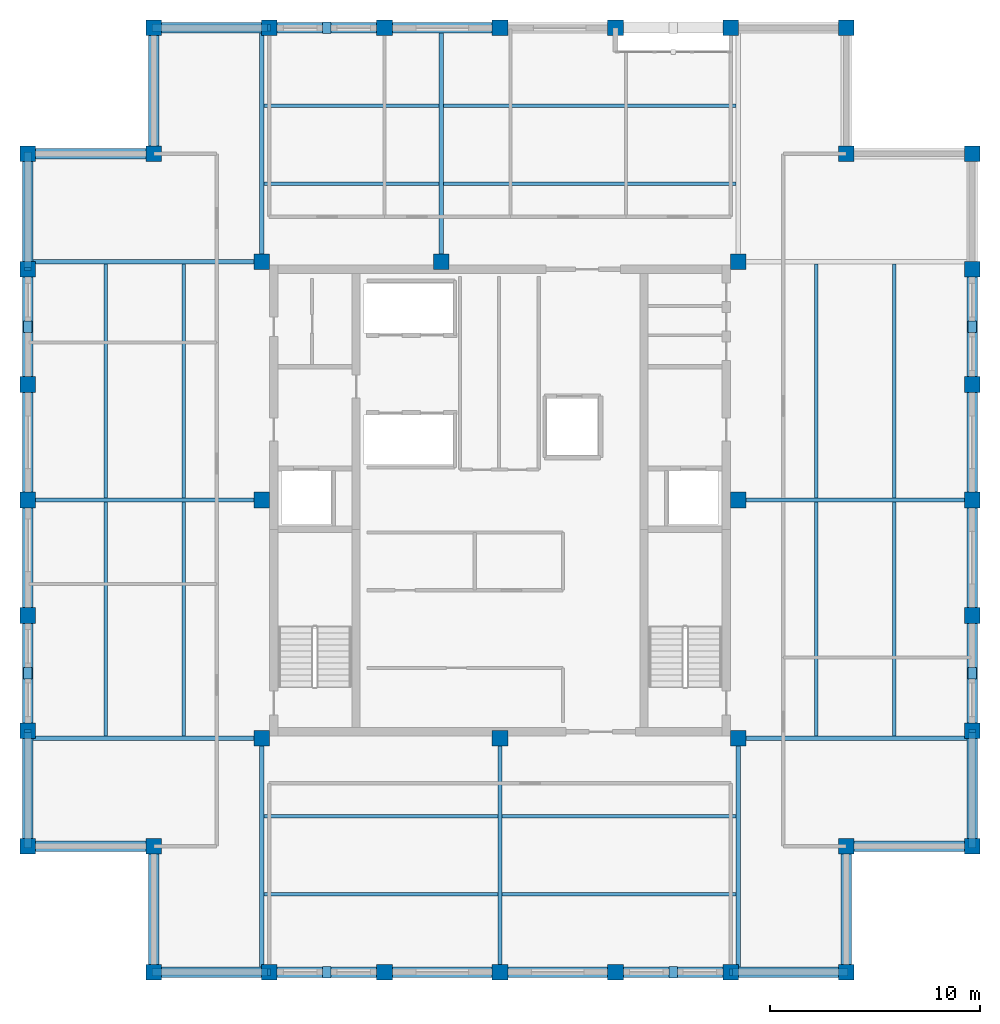
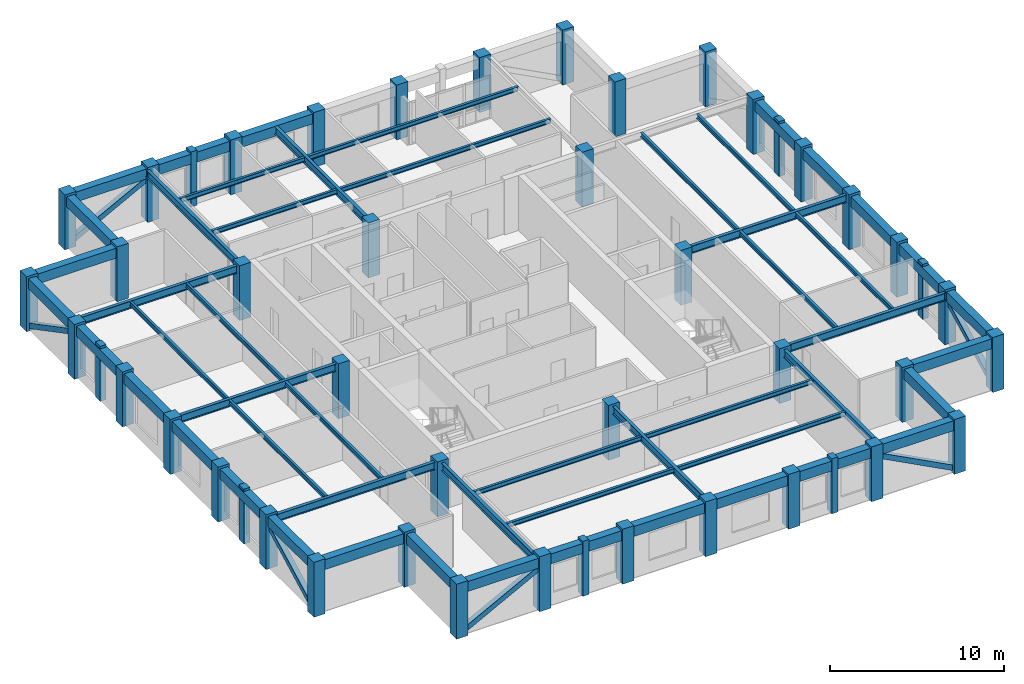
# One storey, part 1 of 7: 52 beams, 40 columns, 13 members.
"""IFC4 building model written with IfcOpenShell, lengths in metres."""

from ifc_helpers import new_model, si_unit, direction, frame, origin, origin_2d, place, context, subcontext, project, spatial, rectangle, hollow_rectangle, i_section, extrude, material, material_profile, profile_set, type_object, element, save


model = new_model("IFC4")

# Units and contexts
model_context = context("Model", 3, precision=1e-05, world=origin(), true_north=direction((0.0, 1.0)))
body_context = subcontext(model_context, "Body", "Model", "MODEL_VIEW")
ifc_project = project(units=[si_unit("LENGTHUNIT", "METRE"), si_unit("AREAUNIT", "SQUARE_METRE"), si_unit("VOLUMEUNIT", "CUBIC_METRE"), si_unit("PLANEANGLEUNIT", "RADIAN"), si_unit("MASSUNIT", "GRAM", prefix="KILO")], contexts=[model_context])

# Site, building, storey
site_placement = place(None, origin())
site = spatial("IfcSite", under=ifc_project, at=site_placement, CompositionType="ELEMENT")
building_placement = place(site_placement, origin())
building = spatial("IfcBuilding", under=site, at=building_placement, Name="Nhamokura Convention Tower", CompositionType="ELEMENT")
storey_placement = place(building_placement, frame((0.0, 0.0, 281.39990234375)))
storey = spatial("IfcBuildingStorey", under=building, at=storey_placement, Name="L69", CompositionType="ELEMENT", Elevation=281.39990234375)

# Columns
ifc_material_1 = material(Name="Concrete C50/60", Category="concrete")
ifc_material_profile_1 = material_profile(ifc_material_1, rectangle(XDim=0.75, YDim=0.75, at=origin_2d()))
ifc_profile_set_1 = profile_set([ifc_material_profile_1], Name="Concrete C50/60")
column_type = type_object("IfcColumnType", Name="TubeColumn_Z4_750", PredefinedType="COLUMN", material=ifc_profile_set_1)
for number, where, z_axis, x_axis, name in (
    (1, (20.64990234375, 20.64990234375, 0.0), (0.0, 0.0, 1.0), (1.0, 0.0, 0.0), "L69 Core Column CC-SW"),
    (2, (32.0, 20.64990234375, 0.0), (0.0, 0.0, 1.0), (1.0, 0.0, 0.0), "L69 Core Column CC-S"),
    (3, (43.35009765625, 20.64990234375, 0.0), (0.0, 0.0, 1.0), (1.0, 0.0, 0.0), "L69 Core Column CC-SE"),
    (4, (43.35009765625, 32.0, 0.0), (0.0, 0.0, 1.0), (1.0, 0.0, 0.0), "L69 Core Column CC-E"),
    (5, (43.35009765625, 43.35009765625, 0.0), (0.0, 0.0, 1.0), (1.0, 0.0, 0.0), "L69 Core Column CC-NE"),
    (6, (29.199951171875, 43.35009765625, 0.0), (0.0, 0.0, 1.0), (1.0, 0.0, 0.0), "L69 Core Column CC-N"),
    (7, (20.64990234375, 43.35009765625, 0.0), (0.0, 0.0, 1.0), (1.0, 0.0, 0.0), "L69 Core Column CC-NW"),
    (8, (20.64990234375, 32.0, 0.0), (0.0, 0.0, 1.0), (1.0, 0.0, 0.0), "L69 Core Column CC-W"),
    (9, (15.5, 9.5, 0.0), (0.0, 0.0, 1.0), (1.0, 0.0, 0.0), "L69 Perimeter Tube Column SW1"),
    (10, (15.5, 15.5, 0.0), (0.0, 0.0, 1.0), (1.0, 0.0, 0.0), "L69 Perimeter Tube Column SW0"),
    (11, (9.5, 15.5, 0.0), (0.0, 0.0, 1.0), (1.0, 0.0, 0.0), "L69 Perimeter Tube Column SW2"),
    (12, (48.5, 9.5, 0.0), (0.0, 0.0, 1.0), (1.0, 0.0, 0.0), "L69 Perimeter Tube Column SE1"),
    (13, (48.5, 15.5, 0.0), (0.0, 0.0, 1.0), (1.0, 0.0, 0.0), "L69 Perimeter Tube Column SE0"),
    (14, (54.5, 15.5, 0.0), (0.0, 0.0, 1.0), (1.0, 0.0, 0.0), "L69 Perimeter Tube Column SE2"),
    (15, (54.5, 48.5, 0.0), (0.0, 0.0, 1.0), (1.0, 0.0, 0.0), "L69 Perimeter Tube Column NE1"),
    (16, (48.5, 48.5, 0.0), (0.0, 0.0, 1.0), (1.0, 0.0, 0.0), "L69 Perimeter Tube Column NE0"),
    (17, (48.5, 54.5, 0.0), (0.0, 0.0, 1.0), (1.0, 0.0, 0.0), "L69 Perimeter Tube Column NE2"),
    (18, (15.5, 54.5, 0.0), (0.0, 0.0, 1.0), (1.0, 0.0, 0.0), "L69 Perimeter Tube Column NW1"),
    (19, (15.5, 48.5, 0.0), (0.0, 0.0, 1.0), (1.0, 0.0, 0.0), "L69 Perimeter Tube Column NW0"),
    (20, (9.5, 48.5, 0.0), (0.0, 0.0, 1.0), (1.0, 0.0, 0.0), "L69 Perimeter Tube Column NW2"),
    (21, (21.0, 9.5, 0.0), (0.0, 0.0, 1.0), (1.0, 0.0, 0.0), "L69 Perimeter Tube Column S1"),
    (22, (21.0, 54.5, 0.0), (0.0, 0.0, 1.0), (1.0, 0.0, 0.0), "L69 Perimeter Tube Column N1"),
    (23, (9.5, 21.0, 0.0), (0.0, 0.0, 1.0), (1.0, 0.0, 0.0), "L69 Perimeter Tube Column W1"),
    (24, (54.5, 21.0, 0.0), (0.0, 0.0, 1.0), (1.0, 0.0, 0.0), "L69 Perimeter Tube Column E1"),
    (25, (26.5, 9.5, 0.0), (0.0, 0.0, 1.0), (1.0, 0.0, 0.0), "L69 Perimeter Tube Column S2"),
    (26, (26.5, 54.5, 0.0), (0.0, 0.0, 1.0), (1.0, 0.0, 0.0), "L69 Perimeter Tube Column N2"),
    (27, (9.5, 26.5, 0.0), (0.0, 0.0, 1.0), (1.0, 0.0, 0.0), "L69 Perimeter Tube Column W2"),
    (28, (54.5, 26.5, 0.0), (0.0, 0.0, 1.0), (1.0, 0.0, 0.0), "L69 Perimeter Tube Column E2"),
    (29, (32.0, 9.5, 0.0), (0.0, 0.0, 1.0), (1.0, 0.0, 0.0), "L69 Perimeter Tube Column S3"),
    (30, (32.0, 54.5, 0.0), (0.0, 0.0, 1.0), (1.0, 0.0, 0.0), "L69 Perimeter Tube Column N3"),
    (31, (9.5, 32.0, 0.0), (0.0, 0.0, 1.0), (1.0, 0.0, 0.0), "L69 Perimeter Tube Column W3"),
    (32, (54.5, 32.0, 0.0), (0.0, 0.0, 1.0), (1.0, 0.0, 0.0), "L69 Perimeter Tube Column E3"),
    (33, (37.5, 9.5, 0.0), (0.0, 0.0, 1.0), (1.0, 0.0, 0.0), "L69 Perimeter Tube Column S4"),
    (34, (37.5, 54.5, 0.0), (0.0, 0.0, 1.0), (1.0, 0.0, 0.0), "L69 Perimeter Tube Column N4"),
    (35, (9.5, 37.5, 0.0), (0.0, 0.0, 1.0), (1.0, 0.0, 0.0), "L69 Perimeter Tube Column W4"),
    (36, (54.5, 37.5, 0.0), (0.0, 0.0, 1.0), (1.0, 0.0, 0.0), "L69 Perimeter Tube Column E4"),
    (37, (43.0, 9.5, 0.0), (0.0, 0.0, 1.0), (1.0, 0.0, 0.0), "L69 Perimeter Tube Column S5"),
    (38, (43.0, 54.5, 0.0), (0.0, 0.0, 1.0), (1.0, 0.0, 0.0), "L69 Perimeter Tube Column N5"),
    (39, (9.5, 43.0, 0.0), (0.0, 0.0, 1.0), (1.0, 0.0, 0.0), "L69 Perimeter Tube Column W5"),
    (40, (54.5, 43.0, 0.0), (0.0, 0.0, 1.0), (1.0, 0.0, 0.0), "L69 Perimeter Tube Column E5"),
):
    element("IfcColumn", number, at=place(storey_placement, frame(where, z_axis=z_axis, x_axis=x_axis)), inside=storey, type_object=column_type, Name=name, PredefinedType="COLUMN", context=body_context, shape_type="SweptSolid", body=[
        extrude(rectangle(XDim=0.75, YDim=0.75, at=origin_2d()), origin(), (0.0, 0.0, 1.0), 3.85009765625),
    ])

# Members
ifc_material_2 = material(Name="Bronze-pigmented precast concrete C45/55", Category="concrete")
ifc_material_profile_2 = material_profile(ifc_material_2, rectangle(XDim=0.39990234375, YDim=0.550048828125, at=origin_2d()))
ifc_profile_set_2 = profile_set([ifc_material_profile_2], Name="Bronze-pigmented precast concrete C45/55")
member_type_1 = type_object("IfcMemberType", Name="BronzePilaster_550", PredefinedType="USERDEFINED", material=ifc_profile_set_2)
for number, where, z_axis, x_axis, name in (
    (41, (23.75, 9.5, 0.0), (0.0, 0.0, 1.0), (1.0, 0.0, 0.0), "L69 Engaged Frame Pilaster SOUTH 1"),
    (42, (40.25, 9.5, 0.0), (0.0, 0.0, 1.0), (1.0, 0.0, 0.0), "L69 Engaged Frame Pilaster SOUTH 4"),
    (43, (23.75, 54.5, 0.0), (0.0, 0.0, 1.0), (1.0, 0.0, 0.0), "L69 Engaged Frame Pilaster NORTH 1"),
    (44, (9.5, 23.75, 0.0), (0.0, 0.0, 1.0), (1.0, 0.0, 0.0), "L69 Engaged Frame Pilaster WEST 1"),
    (45, (9.5, 40.25, 0.0), (0.0, 0.0, 1.0), (1.0, 0.0, 0.0), "L69 Engaged Frame Pilaster WEST 4"),
    (46, (54.5, 23.75, 0.0), (0.0, 0.0, 1.0), (1.0, 0.0, 0.0), "L69 Engaged Frame Pilaster EAST 1"),
    (47, (54.5, 40.25, 0.0), (0.0, 0.0, 1.0), (1.0, 0.0, 0.0), "L69 Engaged Frame Pilaster EAST 4"),
):
    element("IfcMember", number, at=place(storey_placement, frame(where, z_axis=z_axis, x_axis=x_axis)), inside=storey, type_object=member_type_1, Name=name, ObjectType="PILASTER_TRIM", PredefinedType="USERDEFINED", context=body_context, shape_type="SweptSolid", body=[
        extrude(rectangle(XDim=0.39990234375, YDim=0.550048828125, at=origin_2d()), origin(), (0.0, 0.0, 1.0), 3.85009765625),
    ])

# Beams
ifc_material_3 = material(Name="Steel ASTM A992 Gr 50", Category="steel")
ifc_material_profile_3 = material_profile(ifc_material_3, i_section(OverallWidth=0.166015625, OverallDepth=0.31298828125, WebThickness=0.006591796875, FlangeThickness=0.01123046875, at=origin_2d()))
ifc_profile_set_3 = profile_set([ifc_material_profile_3], Name="Steel ASTM A992 Gr 50")
beam_type_1 = type_object("IfcBeamType", Name="FloorJoist_W310X45", PredefinedType="JOIST", material=ifc_profile_set_3)
for number, where, z_axis, x_axis, name in (
    (48, (20.75244140625, 13.216796875, 3.528564453125), (1.0, 0.0, 0.0), (0.0, 1.0, 0.0), "L69 Composite Floor Joist S1A"),
    (49, (32.1025390625, 13.216796875, 3.528564453125), (1.0, 0.0, 0.0), (0.0, 1.0, 0.0), "L69 Composite Floor Joist S1B"),
    (50, (20.75244140625, 16.933349609375, 3.528564453125), (1.0, 0.0, 0.0), (0.0, 1.0, 0.0), "L69 Composite Floor Joist S2A"),
    (51, (32.1025390625, 16.933349609375, 3.528564453125), (1.0, 0.0, 0.0), (0.0, 1.0, 0.0), "L69 Composite Floor Joist S2B"),
):
    element("IfcBeam", number, at=place(storey_placement, frame(where, z_axis=z_axis, x_axis=x_axis)), inside=storey, type_object=beam_type_1, Name=name, PredefinedType="JOIST", context=body_context, shape_type="SweptSolid", body=[
        extrude(i_section(OverallWidth=0.166015625, OverallDepth=0.31298828125, WebThickness=0.006591796875, FlangeThickness=0.01123046875, at=origin_2d()), origin(), (0.0, 0.0, 1.0), 11.14501953125),
    ])
beam_1_placement = place(storey_placement, frame((20.75244140625, 47.066650390625, 3.528564453125), z_axis=(1.0, 0.0, 0.0), x_axis=(0.0, 1.0, 0.0)))
element("IfcBeam", 52, at=beam_1_placement, inside=storey, type_object=beam_type_1, Name="L69 Composite Floor Joist N1A", PredefinedType="JOIST", context=body_context, shape_type="SweptSolid", body=[
    extrude(i_section(OverallWidth=0.166015625, OverallDepth=0.31298828125, WebThickness=0.006591796875, FlangeThickness=0.01123046875, at=origin_2d()), origin(), (0.0, 0.0, 1.0), 8.344970703125),
])
beam_2_placement = place(storey_placement, frame((29.302490234375, 47.066650390625, 3.528564453125), z_axis=(1.0, 0.0, 0.0), x_axis=(0.0, 1.0, 0.0)))
element("IfcBeam", 53, at=beam_2_placement, inside=storey, type_object=beam_type_1, Name="L69 Composite Floor Joist N1B", PredefinedType="JOIST", context=body_context, shape_type="SweptSolid", body=[
    extrude(i_section(OverallWidth=0.166015625, OverallDepth=0.31298828125, WebThickness=0.006591796875, FlangeThickness=0.01123046875, at=origin_2d()), origin(), (0.0, 0.0, 1.0), 13.945068359375),
])
beam_3_placement = place(storey_placement, frame((20.75244140625, 50.783203125, 3.528564453125), z_axis=(1.0, 0.0, 0.0), x_axis=(0.0, 1.0, 0.0)))
element("IfcBeam", 54, at=beam_3_placement, inside=storey, type_object=beam_type_1, Name="L69 Composite Floor Joist N2A", PredefinedType="JOIST", context=body_context, shape_type="SweptSolid", body=[
    extrude(i_section(OverallWidth=0.166015625, OverallDepth=0.31298828125, WebThickness=0.006591796875, FlangeThickness=0.01123046875, at=origin_2d()), origin(), (0.0, 0.0, 1.0), 8.344970703125),
])
beam_4_placement = place(storey_placement, frame((29.302490234375, 50.783203125, 3.528564453125), z_axis=(1.0, 0.0, 0.0), x_axis=(0.0, 1.0, 0.0)))
element("IfcBeam", 55, at=beam_4_placement, inside=storey, type_object=beam_type_1, Name="L69 Composite Floor Joist N2B", PredefinedType="JOIST", context=body_context, shape_type="SweptSolid", body=[
    extrude(i_section(OverallWidth=0.166015625, OverallDepth=0.31298828125, WebThickness=0.006591796875, FlangeThickness=0.01123046875, at=origin_2d()), origin(), (0.0, 0.0, 1.0), 13.945068359375),
])
for number, where, z_axis, x_axis, name in (
    (56, (13.216796875, 20.75244140625, 3.528564453125), (0.0, 1.0, 0.0), (-1.0, 0.0, 0.0), "L69 Composite Floor Joist W1A"),
    (57, (13.216796875, 32.1025390625, 3.528564453125), (0.0, 1.0, 0.0), (-1.0, 0.0, 0.0), "L69 Composite Floor Joist W1B"),
    (58, (16.933349609375, 20.75244140625, 3.528564453125), (0.0, 1.0, 0.0), (-1.0, 0.0, 0.0), "L69 Composite Floor Joist W2A"),
    (59, (16.933349609375, 32.1025390625, 3.528564453125), (0.0, 1.0, 0.0), (-1.0, 0.0, 0.0), "L69 Composite Floor Joist W2B"),
    (60, (47.066650390625, 20.75244140625, 3.528564453125), (0.0, 1.0, 0.0), (-1.0, 0.0, 0.0), "L69 Composite Floor Joist E1A"),
    (61, (47.066650390625, 32.1025390625, 3.528564453125), (0.0, 1.0, 0.0), (-1.0, 0.0, 0.0), "L69 Composite Floor Joist E1B"),
    (62, (50.783203125, 20.75244140625, 3.528564453125), (0.0, 1.0, 0.0), (-1.0, 0.0, 0.0), "L69 Composite Floor Joist E2A"),
    (63, (50.783203125, 32.1025390625, 3.528564453125), (0.0, 1.0, 0.0), (-1.0, 0.0, 0.0), "L69 Composite Floor Joist E2B"),
):
    element("IfcBeam", number, at=place(storey_placement, frame(where, z_axis=z_axis, x_axis=x_axis)), inside=storey, type_object=beam_type_1, Name=name, PredefinedType="JOIST", context=body_context, shape_type="SweptSolid", body=[
        extrude(i_section(OverallWidth=0.166015625, OverallDepth=0.31298828125, WebThickness=0.006591796875, FlangeThickness=0.01123046875, at=origin_2d()), origin(), (0.0, 0.0, 1.0), 11.14501953125),
    ])
ifc_material_4 = material(Name="Steel ASTM A992 Gr 50", Category="steel")
ifc_material_profile_4 = material_profile(ifc_material_4, i_section(OverallWidth=0.208984375, OverallDepth=0.532958984375, WebThickness=0.01025390625, FlangeThickness=0.015625, at=origin_2d()))
ifc_profile_set_4 = profile_set([ifc_material_profile_4], Name="Steel ASTM A992 Gr 50")
beam_type_2 = type_object("IfcBeamType", Name="PrimaryGirder_W530X92", PredefinedType="BEAM", material=ifc_profile_set_4)
for number, where, z_axis, x_axis, name in (
    (64, (20.64990234375, 9.5, 3.418701171875), (0.0, 1.0, 0.0), (-1.0, 0.0, 0.0), "L69 Primary Floor Girder PG-S1"),
    (65, (32.0, 9.5, 3.418701171875), (0.0, 1.0, 0.0), (-1.0, 0.0, 0.0), "L69 Primary Floor Girder PG-S2"),
    (66, (43.35009765625, 9.5, 3.418701171875), (0.0, 1.0, 0.0), (-1.0, 0.0, 0.0), "L69 Primary Floor Girder PG-S3"),
    (67, (20.64990234375, 43.35009765625, 3.418701171875), (0.0, 1.0, 0.0), (-1.0, 0.0, 0.0), "L69 Primary Floor Girder PG-N1"),
    (68, (29.199951171875, 43.35009765625, 3.418701171875), (0.0, 1.0, 0.0), (-1.0, 0.0, 0.0), "L69 Primary Floor Girder PG-N2"),
    (69, (9.5, 20.64990234375, 3.418701171875), (1.0, 0.0, 0.0), (0.0, 1.0, 0.0), "L69 Primary Floor Girder PG-W1"),
    (70, (9.5, 32.0, 3.418701171875), (1.0, 0.0, 0.0), (0.0, 1.0, 0.0), "L69 Primary Floor Girder PG-W2"),
    (71, (9.5, 43.35009765625, 3.418701171875), (1.0, 0.0, 0.0), (0.0, 1.0, 0.0), "L69 Primary Floor Girder PG-W3"),
    (72, (43.35009765625, 20.64990234375, 3.418701171875), (1.0, 0.0, 0.0), (0.0, 1.0, 0.0), "L69 Primary Floor Girder PG-E1"),
    (73, (43.35009765625, 32.0, 3.418701171875), (1.0, 0.0, 0.0), (0.0, 1.0, 0.0), "L69 Primary Floor Girder PG-E2"),
):
    element("IfcBeam", number, at=place(storey_placement, frame(where, z_axis=z_axis, x_axis=x_axis)), inside=storey, type_object=beam_type_2, Name=name, PredefinedType="BEAM", context=body_context, shape_type="SweptSolid", body=[
        extrude(i_section(OverallWidth=0.208984375, OverallDepth=0.532958984375, WebThickness=0.01025390625, FlangeThickness=0.015625, at=origin_2d()), origin(), (0.0, 0.0, 1.0), 11.14990234375),
    ])

# Members
ifc_material_5 = material(Name="Steel ASTM A572 Gr 50", Category="steel")
ifc_material_profile_5 = material_profile(ifc_material_5, hollow_rectangle(XDim=0.35009765625, YDim=0.35009765625, WallThickness=0.01611328125, at=origin_2d()))
ifc_profile_set_5 = profile_set([ifc_material_profile_5], Name="Steel ASTM A572 Gr 50")
member_type_2 = type_object("IfcMemberType", Name="TubeBrace_HSS350", PredefinedType="BRACE", material=ifc_profile_set_5)
for number, where, z_axis, x_axis, name in (
    (74, (15.5, 9.5, 0.150146484375), (0.885562865764, 0.0, 0.464519548328), (0.0, 1.0, 0.0), "L69 Perimeter Tube Brace SOUTH Bay 0"),
    (75, (48.5, 9.5, 0.150146484375), (-0.885562865764, 0.0, 0.464519548328), (0.0, -1.0, 0.0), "L69 Perimeter Tube Brace SOUTH Bay 5"),
    (76, (15.5, 54.5, 0.150146484375), (0.885562865764, 0.0, 0.464519548328), (0.0, 1.0, 0.0), "L69 Perimeter Tube Brace NORTH Bay 0"),
    (77, (9.5, 15.5, 0.150146484375), (0.0, 0.885562865764, 0.464519548328), (-1.0, 0.0, 0.0), "L69 Perimeter Tube Brace WEST Bay 0"),
    (78, (9.5, 48.5, 0.150146484375), (0.0, -0.885562865764, 0.464519548328), (1.0, 0.0, 0.0), "L69 Perimeter Tube Brace WEST Bay 5"),
    (79, (54.5, 15.5, 0.150146484375), (0.0, 0.885562865764, 0.464519548328), (-1.0, 0.0, 0.0), "L69 Perimeter Tube Brace EAST Bay 0"),
):
    element("IfcMember", number, at=place(storey_placement, frame(where, z_axis=z_axis, x_axis=x_axis)), inside=storey, type_object=member_type_2, Name=name, PredefinedType="BRACE", context=body_context, shape_type="SweptSolid", body=[
        extrude(hollow_rectangle(XDim=0.35009765625, YDim=0.35009765625, WallThickness=0.01611328125, at=origin_2d()), origin(), (0.0, 0.0, 1.0), 6.210693359375),
    ])

# Beams
ifc_material_6 = material(Name="Concrete C50/60", Category="concrete")
ifc_material_profile_6 = material_profile(ifc_material_6, rectangle(XDim=0.5, YDim=0.699951171875, at=origin_2d()))
ifc_profile_set_6 = profile_set([ifc_material_profile_6], Name="Concrete C50/60")
beam_type_3 = type_object("IfcBeamType", Name="TubeSpandrel_700", PredefinedType="SPANDREL", material=ifc_profile_set_6)
for number, where, z_axis, x_axis, name in (
    (80, (15.5, 9.5, 3.335205078125), (1.0, 0.0, 0.0), (0.0, 1.0, 0.0), "L69 Perimeter Spandrel SOUTH 1"),
    (81, (21.0, 9.5, 3.335205078125), (1.0, 0.0, 0.0), (0.0, 1.0, 0.0), "L69 Perimeter Spandrel SOUTH 2"),
    (82, (26.5, 9.5, 3.335205078125), (1.0, 0.0, 0.0), (0.0, 1.0, 0.0), "L69 Perimeter Spandrel SOUTH 3"),
    (83, (32.0, 9.5, 3.335205078125), (1.0, 0.0, 0.0), (0.0, 1.0, 0.0), "L69 Perimeter Spandrel SOUTH 4"),
    (84, (37.5, 9.5, 3.335205078125), (1.0, 0.0, 0.0), (0.0, 1.0, 0.0), "L69 Perimeter Spandrel SOUTH 5"),
    (85, (43.0, 9.5, 3.335205078125), (1.0, 0.0, 0.0), (0.0, 1.0, 0.0), "L69 Perimeter Spandrel SOUTH 6"),
    (86, (15.5, 54.5, 3.335205078125), (1.0, 0.0, 0.0), (0.0, 1.0, 0.0), "L69 Perimeter Spandrel NORTH 1"),
    (87, (21.0, 54.5, 3.335205078125), (1.0, 0.0, 0.0), (0.0, 1.0, 0.0), "L69 Perimeter Spandrel NORTH 2"),
    (88, (26.5, 54.5, 3.335205078125), (1.0, 0.0, 0.0), (0.0, 1.0, 0.0), "L69 Perimeter Spandrel NORTH 3"),
    (89, (9.5, 15.5, 3.335205078125), (0.0, 1.0, 0.0), (-1.0, 0.0, 0.0), "L69 Perimeter Spandrel WEST 1"),
    (90, (9.5, 21.0, 3.335205078125), (0.0, 1.0, 0.0), (-1.0, 0.0, 0.0), "L69 Perimeter Spandrel WEST 2"),
    (91, (9.5, 26.5, 3.335205078125), (0.0, 1.0, 0.0), (-1.0, 0.0, 0.0), "L69 Perimeter Spandrel WEST 3"),
    (92, (9.5, 32.0, 3.335205078125), (0.0, 1.0, 0.0), (-1.0, 0.0, 0.0), "L69 Perimeter Spandrel WEST 4"),
    (93, (9.5, 37.5, 3.335205078125), (0.0, 1.0, 0.0), (-1.0, 0.0, 0.0), "L69 Perimeter Spandrel WEST 5"),
    (94, (9.5, 43.0, 3.335205078125), (0.0, 1.0, 0.0), (-1.0, 0.0, 0.0), "L69 Perimeter Spandrel WEST 6"),
    (95, (54.5, 15.5, 3.335205078125), (0.0, 1.0, 0.0), (-1.0, 0.0, 0.0), "L69 Perimeter Spandrel EAST 1"),
    (96, (54.5, 21.0, 3.335205078125), (0.0, 1.0, 0.0), (-1.0, 0.0, 0.0), "L69 Perimeter Spandrel EAST 2"),
    (97, (54.5, 26.5, 3.335205078125), (0.0, 1.0, 0.0), (-1.0, 0.0, 0.0), "L69 Perimeter Spandrel EAST 3"),
    (98, (54.5, 32.0, 3.335205078125), (0.0, 1.0, 0.0), (-1.0, 0.0, 0.0), "L69 Perimeter Spandrel EAST 4"),
    (99, (54.5, 37.5, 3.335205078125), (0.0, 1.0, 0.0), (-1.0, 0.0, 0.0), "L69 Perimeter Spandrel EAST 5"),
):
    element("IfcBeam", number, at=place(storey_placement, frame(where, z_axis=z_axis, x_axis=x_axis)), inside=storey, type_object=beam_type_3, Name=name, PredefinedType="SPANDREL", context=body_context, shape_type="SweptSolid", body=[
        extrude(rectangle(XDim=0.5, YDim=0.699951171875, at=origin_2d()), origin(), (0.0, 0.0, 1.0), 5.5),
    ])
for number, where, z_axis, x_axis, name in (
    (100, (15.5, 9.5, 3.335205078125), (0.0, 1.0, 0.0), (-1.0, 0.0, 0.0), "L69 Notch Spandrel SW1"),
    (101, (15.5, 15.5, 3.335205078125), (-1.0, 0.0, 0.0), (0.0, -1.0, 0.0), "L69 Notch Spandrel SW2"),
    (102, (48.5, 9.5, 3.335205078125), (0.0, 1.0, 0.0), (-1.0, 0.0, 0.0), "L69 Notch Spandrel SE1"),
    (103, (48.5, 15.5, 3.335205078125), (1.0, 0.0, 0.0), (0.0, 1.0, 0.0), "L69 Notch Spandrel SE2"),
    (104, (15.5, 54.5, 3.335205078125), (0.0, -1.0, 0.0), (1.0, 0.0, 0.0), "L69 Notch Spandrel NW1"),
    (105, (15.5, 48.5, 3.335205078125), (-1.0, 0.0, 0.0), (0.0, -1.0, 0.0), "L69 Notch Spandrel NW2"),
):
    element("IfcBeam", number, at=place(storey_placement, frame(where, z_axis=z_axis, x_axis=x_axis)), inside=storey, type_object=beam_type_3, Name=name, PredefinedType="SPANDREL", context=body_context, shape_type="SweptSolid", body=[
        extrude(rectangle(XDim=0.5, YDim=0.699951171875, at=origin_2d()), origin(), (0.0, 0.0, 1.0), 6.0),
    ])

save(model, "model.ifc")
